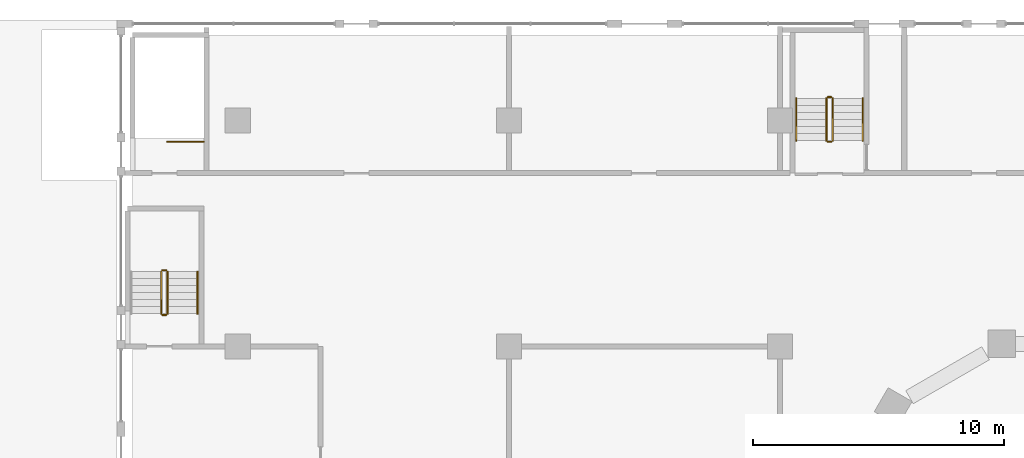
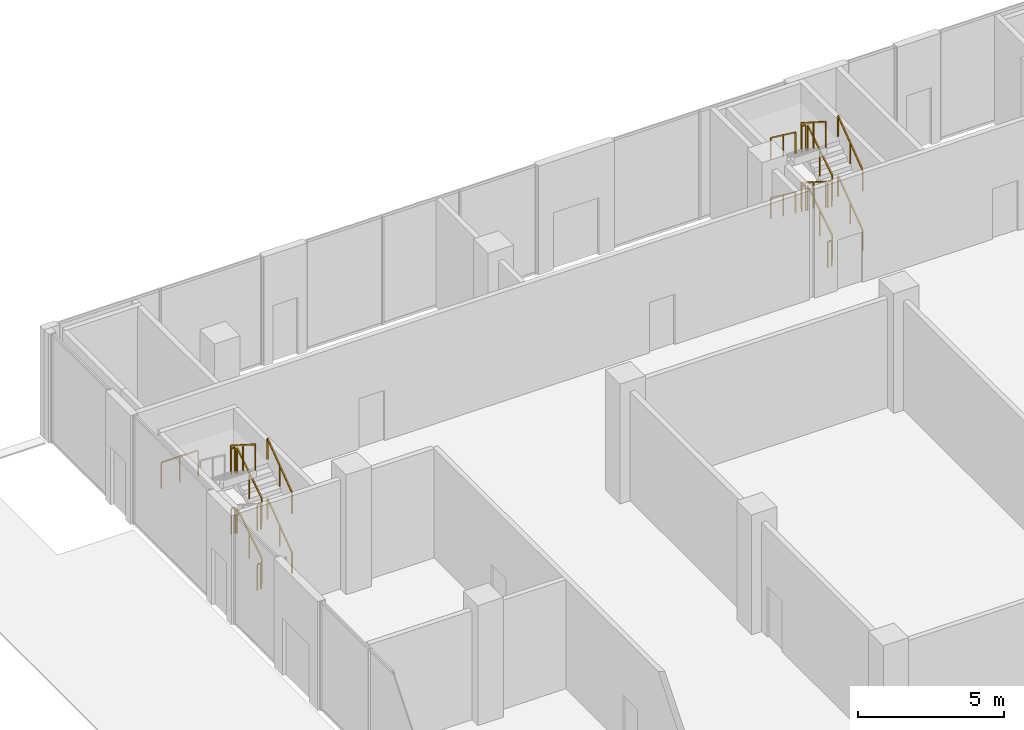
# One storey, part 53 of 57: 22 railings.
"""IFC4 building model written with IfcOpenShell, lengths in metres."""

from ifc_helpers import new_model, si_unit, direction, frame, origin, origin_2d, place, context, subcontext, project, spatial, rectangle, extrude, material, type_object, element, save


model = new_model("IFC4")

# Units and contexts
model_context = context("Model", 3, precision=1e-05, world=origin(), true_north=direction((0.0, 1.0)))
body_context = subcontext(model_context, "Body", "Model", "MODEL_VIEW")
ifc_project = project(units=[si_unit("LENGTHUNIT", "METRE"), si_unit("AREAUNIT", "SQUARE_METRE"), si_unit("VOLUMEUNIT", "CUBIC_METRE"), si_unit("PLANEANGLEUNIT", "RADIAN"), si_unit("MASSUNIT", "GRAM", prefix="KILO")], contexts=[model_context])

# Site, building, storey
site_placement = place(None, origin())
site = spatial("IfcSite", under=ifc_project, at=site_placement, CompositionType="ELEMENT")
building_placement = place(site_placement, origin())
building = spatial("IfcBuilding", under=site, at=building_placement, Name="Beryl Residences", CompositionType="ELEMENT")
storey_placement = place(building_placement, origin())
storey = spatial("IfcBuildingStorey", under=building, at=storey_placement, Name="L00", CompositionType="ELEMENT", Elevation=0.0)

# Railings
ifc_material_1 = material(Name="Stainless steel balustrade with glass infill", Category="steel")
railing_type_1 = type_object("IfcRailingType", Name="SG1 stair guard 1100 mm", PredefinedType="GUARDRAIL", material=ifc_material_1)
railing_1_placement = place(storey_placement, frame((-44.550048828125, 35.14990234375, 0.0)))
element("IfcRailing", 1, at=railing_1_placement, inside=storey, type_object=railing_type_1, Name="L00 BS-1 top well guard 1", PredefinedType="GUARDRAIL", context=body_context, shape_type="SweptSolid", body=[
    extrude(rectangle(XDim=0.048095703125, YDim=0.048095703125, at=origin_2d()), frame((0.0, 0.0, 1.076171875), z_axis=(-1.0, 0.0, 0.0), x_axis=(0.0, -1.0, 0.0)), (0.0, 0.0, 1.0), 1.449951171875),
    extrude(rectangle(XDim=0.0419921875, YDim=0.0419921875, at=origin_2d()), origin(), (0.0, 0.0, 1.0), 1.052001953125),
    extrude(rectangle(XDim=0.0419921875, YDim=0.0419921875, at=origin_2d()), frame((-0.72509765625, 0.0, 0.0)), (0.0, 0.0, 1.0), 1.052001953125),
    extrude(rectangle(XDim=0.0419921875, YDim=0.0419921875, at=origin_2d()), frame((-1.449951171875, 0.0, 0.0)), (0.0, 0.0, 1.0), 1.052001953125),
])
railing_2_placement = place(storey_placement, frame((-19.5, 35.199951171875, 0.178466796875)))
element("IfcRailing", 2, at=railing_2_placement, inside=storey, type_object=railing_type_1, Name="L00 PS-1 stair guard 1", PredefinedType="GUARDRAIL", context=body_context, shape_type="SweptSolid", body=[
    extrude(rectangle(XDim=0.048095703125, YDim=0.048095703125, at=origin_2d()), frame((0.0, 0.0, 1.076171875), z_axis=(0.0, 0.843095963019, 0.537763142231), x_axis=(-1.0, 0.0, 0.0)), (0.0, 0.0, 1.0), 1.99267578125),
    extrude(rectangle(XDim=0.0419921875, YDim=0.0419921875, at=origin_2d()), origin(), (0.0, 0.0, 1.0), 1.052001953125),
    extrude(rectangle(XDim=0.0419921875, YDim=0.0419921875, at=origin_2d()), frame((0.0, 0.83984375, 0.53564453125)), (0.0, 0.0, 1.0), 1.052001953125),
    extrude(rectangle(XDim=0.0419921875, YDim=0.0419921875, at=origin_2d()), frame((0.0, 1.679931640625, 1.071533203125)), (0.0, 0.0, 1.0), 1.052001953125),
])
railing_3_placement = place(storey_placement, frame((-19.550048828125, 36.929931640625, 1.25)))
element("IfcRailing", 3, at=railing_3_placement, inside=storey, type_object=railing_type_1, Name="L00 PS-1 stair guard 2", PredefinedType="GUARDRAIL", context=body_context, shape_type="SweptSolid", body=[
    extrude(rectangle(XDim=0.048095703125, YDim=0.048095703125, at=origin_2d()), frame((0.0, 0.0, 1.076171875), z_axis=(-1.0, 0.0, 0.0), x_axis=(0.0, -1.0, 0.0)), (0.0, 0.0, 1.0), 0.14990234375),
    extrude(rectangle(XDim=0.0419921875, YDim=0.0419921875, at=origin_2d()), origin(), (0.0, 0.0, 1.0), 1.052001953125),
    extrude(rectangle(XDim=0.0419921875, YDim=0.0419921875, at=origin_2d()), frame((-0.14990234375, 0.0, 0.0)), (0.0, 0.0, 1.0), 1.052001953125),
])
railing_4_placement = place(storey_placement, frame((-19.75, 36.8798828125, 1.428466796875)))
element("IfcRailing", 4, at=railing_4_placement, inside=storey, type_object=railing_type_1, Name="L00 PS-1 stair guard 3", PredefinedType="GUARDRAIL", context=body_context, shape_type="SweptSolid", body=[
    extrude(rectangle(XDim=0.048095703125, YDim=0.048095703125, at=origin_2d()), frame((0.0, 0.0, 1.076171875), z_axis=(0.0, -0.843095963019, 0.537763142231), x_axis=(1.0, 0.0, 0.0)), (0.0, 0.0, 1.0), 1.99267578125),
    extrude(rectangle(XDim=0.0419921875, YDim=0.0419921875, at=origin_2d()), origin(), (0.0, 0.0, 1.0), 1.052001953125),
    extrude(rectangle(XDim=0.0419921875, YDim=0.0419921875, at=origin_2d()), frame((0.0, -0.83984375, 0.53564453125)), (0.0, 0.0, 1.0), 1.052001953125),
    extrude(rectangle(XDim=0.0419921875, YDim=0.0419921875, at=origin_2d()), frame((0.0, -1.679931640625, 1.071533203125)), (0.0, 0.0, 1.0), 1.052001953125),
])
railing_5_placement = place(storey_placement, frame((-19.550048828125, 35.14990234375, 2.5)))
element("IfcRailing", 5, at=railing_5_placement, inside=storey, type_object=railing_type_1, Name="L00 PS-1 stair guard 4", PredefinedType="GUARDRAIL", context=body_context, shape_type="SweptSolid", body=[
    extrude(rectangle(XDim=0.048095703125, YDim=0.048095703125, at=origin_2d()), frame((0.0, 0.0, 1.076171875), z_axis=(-1.0, 0.0, 0.0), x_axis=(0.0, -1.0, 0.0)), (0.0, 0.0, 1.0), 0.14990234375),
    extrude(rectangle(XDim=0.0419921875, YDim=0.0419921875, at=origin_2d()), origin(), (0.0, 0.0, 1.0), 1.052001953125),
    extrude(rectangle(XDim=0.0419921875, YDim=0.0419921875, at=origin_2d()), frame((-0.14990234375, 0.0, 0.0)), (0.0, 0.0, 1.0), 1.052001953125),
])
railing_6_placement = place(storey_placement, frame((-19.5, 35.199951171875, 2.678466796875)))
element("IfcRailing", 6, at=railing_6_placement, inside=storey, type_object=railing_type_1, Name="L00 PS-1 stair guard 5", PredefinedType="GUARDRAIL", context=body_context, shape_type="SweptSolid", body=[
    extrude(rectangle(XDim=0.048095703125, YDim=0.048095703125, at=origin_2d()), frame((0.0, 0.0, 1.076171875), z_axis=(0.0, 0.843095963019, 0.537763142231), x_axis=(-1.0, 0.0, 0.0)), (0.0, 0.0, 1.0), 1.99267578125),
    extrude(rectangle(XDim=0.0419921875, YDim=0.0419921875, at=origin_2d()), origin(), (0.0, 0.0, 1.0), 1.052001953125),
    extrude(rectangle(XDim=0.0419921875, YDim=0.0419921875, at=origin_2d()), frame((0.0, 0.83984375, 0.53564453125)), (0.0, 0.0, 1.0), 1.052001953125),
    extrude(rectangle(XDim=0.0419921875, YDim=0.0419921875, at=origin_2d()), frame((0.0, 1.679931640625, 1.071533203125)), (0.0, 0.0, 1.0), 1.052001953125),
])
railing_7_placement = place(storey_placement, frame((-19.550048828125, 36.929931640625, 3.75)))
element("IfcRailing", 7, at=railing_7_placement, inside=storey, type_object=railing_type_1, Name="L00 PS-1 stair guard 6", PredefinedType="GUARDRAIL", context=body_context, shape_type="SweptSolid", body=[
    extrude(rectangle(XDim=0.048095703125, YDim=0.048095703125, at=origin_2d()), frame((0.0, 0.0, 1.076171875), z_axis=(-1.0, 0.0, 0.0), x_axis=(0.0, -1.0, 0.0)), (0.0, 0.0, 1.0), 0.14990234375),
    extrude(rectangle(XDim=0.0419921875, YDim=0.0419921875, at=origin_2d()), origin(), (0.0, 0.0, 1.0), 1.052001953125),
    extrude(rectangle(XDim=0.0419921875, YDim=0.0419921875, at=origin_2d()), frame((-0.14990234375, 0.0, 0.0)), (0.0, 0.0, 1.0), 1.052001953125),
])
railing_8_placement = place(storey_placement, frame((-19.75, 36.8798828125, 3.928466796875)))
element("IfcRailing", 8, at=railing_8_placement, inside=storey, type_object=railing_type_1, Name="L00 PS-1 stair guard 7", PredefinedType="GUARDRAIL", context=body_context, shape_type="SweptSolid", body=[
    extrude(rectangle(XDim=0.048095703125, YDim=0.048095703125, at=origin_2d()), frame((0.0, 0.0, 1.076171875), z_axis=(0.0, -0.843095963019, 0.537763142231), x_axis=(1.0, 0.0, 0.0)), (0.0, 0.0, 1.0), 1.99267578125),
    extrude(rectangle(XDim=0.0419921875, YDim=0.0419921875, at=origin_2d()), origin(), (0.0, 0.0, 1.0), 1.052001953125),
    extrude(rectangle(XDim=0.0419921875, YDim=0.0419921875, at=origin_2d()), frame((0.0, -0.83984375, 0.53564453125)), (0.0, 0.0, 1.0), 1.052001953125),
    extrude(rectangle(XDim=0.0419921875, YDim=0.0419921875, at=origin_2d()), frame((0.0, -1.679931640625, 1.071533203125)), (0.0, 0.0, 1.0), 1.052001953125),
])
railing_9_placement = place(storey_placement, frame((-19.550048828125, 35.14990234375, 0.0)))
element("IfcRailing", 9, at=railing_9_placement, inside=storey, type_object=railing_type_1, Name="L00 PS-1 stair guard 8", PredefinedType="GUARDRAIL", context=body_context, shape_type="SweptSolid", body=[
    extrude(rectangle(XDim=0.048095703125, YDim=0.048095703125, at=origin_2d()), frame((0.0, 0.0, 1.076171875), z_axis=(-1.0, 0.0, 0.0), x_axis=(0.0, -1.0, 0.0)), (0.0, 0.0, 1.0), 0.14990234375),
    extrude(rectangle(XDim=0.0419921875, YDim=0.0419921875, at=origin_2d()), origin(), (0.0, 0.0, 1.0), 1.052001953125),
    extrude(rectangle(XDim=0.0419921875, YDim=0.0419921875, at=origin_2d()), frame((-0.14990234375, 0.0, 0.0)), (0.0, 0.0, 1.0), 1.052001953125),
])
railing_10_placement = place(storey_placement, frame((-46.0, 28.300048828125, 0.178466796875)))
element("IfcRailing", 10, at=railing_10_placement, inside=storey, type_object=railing_type_1, Name="L00 PS-3 stair guard 1", PredefinedType="GUARDRAIL", context=body_context, shape_type="SweptSolid", body=[
    extrude(rectangle(XDim=0.048095703125, YDim=0.048095703125, at=origin_2d()), frame((0.0, 0.0, 1.076171875), z_axis=(0.0, 0.843095963019, 0.537763142231), x_axis=(-1.0, 0.0, 0.0)), (0.0, 0.0, 1.0), 1.99267578125),
    extrude(rectangle(XDim=0.0419921875, YDim=0.0419921875, at=origin_2d()), origin(), (0.0, 0.0, 1.0), 1.052001953125),
    extrude(rectangle(XDim=0.0419921875, YDim=0.0419921875, at=origin_2d()), frame((0.0, 0.83984375, 0.53564453125)), (0.0, 0.0, 1.0), 1.052001953125),
    extrude(rectangle(XDim=0.0419921875, YDim=0.0419921875, at=origin_2d()), frame((0.0, 1.679931640625, 1.071533203125)), (0.0, 0.0, 1.0), 1.052001953125),
])
for number, where, name in (
    (11, (-46.050048828125, 30.030029296875, 1.25), "L00 PS-3 stair guard 2"),
    (12, (-46.050048828125, 28.25, 2.5), "L00 PS-3 stair guard 4"),
):
    element("IfcRailing", number, at=place(storey_placement, frame(where)), inside=storey, type_object=railing_type_1, Name=name, PredefinedType="GUARDRAIL", context=body_context, shape_type="SweptSolid", body=[
        extrude(rectangle(XDim=0.048095703125, YDim=0.048095703125, at=origin_2d()), frame((0.0, 0.0, 1.076171875), z_axis=(-1.0, 0.0, 0.0), x_axis=(0.0, -1.0, 0.0)), (0.0, 0.0, 1.0), 0.14990234375),
        extrude(rectangle(XDim=0.0419921875, YDim=0.0419921875, at=origin_2d()), origin(), (0.0, 0.0, 1.0), 1.052001953125),
        extrude(rectangle(XDim=0.0419921875, YDim=0.0419921875, at=origin_2d()), frame((-0.14990234375, 0.0, 0.0)), (0.0, 0.0, 1.0), 1.052001953125),
    ])
railing_11_placement = place(storey_placement, frame((-46.0, 28.300048828125, 2.678466796875)))
element("IfcRailing", 13, at=railing_11_placement, inside=storey, type_object=railing_type_1, Name="L00 PS-3 stair guard 5", PredefinedType="GUARDRAIL", context=body_context, shape_type="SweptSolid", body=[
    extrude(rectangle(XDim=0.048095703125, YDim=0.048095703125, at=origin_2d()), frame((0.0, 0.0, 1.076171875), z_axis=(0.0, 0.843095963019, 0.537763142231), x_axis=(-1.0, 0.0, 0.0)), (0.0, 0.0, 1.0), 1.99267578125),
    extrude(rectangle(XDim=0.0419921875, YDim=0.0419921875, at=origin_2d()), origin(), (0.0, 0.0, 1.0), 1.052001953125),
    extrude(rectangle(XDim=0.0419921875, YDim=0.0419921875, at=origin_2d()), frame((0.0, 0.83984375, 0.53564453125)), (0.0, 0.0, 1.0), 1.052001953125),
    extrude(rectangle(XDim=0.0419921875, YDim=0.0419921875, at=origin_2d()), frame((0.0, 1.679931640625, 1.071533203125)), (0.0, 0.0, 1.0), 1.052001953125),
])
railing_12_placement = place(storey_placement, frame((-46.050048828125, 30.030029296875, 3.75)))
element("IfcRailing", 14, at=railing_12_placement, inside=storey, type_object=railing_type_1, Name="L00 PS-3 stair guard 6", PredefinedType="GUARDRAIL", context=body_context, shape_type="SweptSolid", body=[
    extrude(rectangle(XDim=0.048095703125, YDim=0.048095703125, at=origin_2d()), frame((0.0, 0.0, 1.076171875), z_axis=(-1.0, 0.0, 0.0), x_axis=(0.0, -1.0, 0.0)), (0.0, 0.0, 1.0), 0.14990234375),
    extrude(rectangle(XDim=0.0419921875, YDim=0.0419921875, at=origin_2d()), origin(), (0.0, 0.0, 1.0), 1.052001953125),
    extrude(rectangle(XDim=0.0419921875, YDim=0.0419921875, at=origin_2d()), frame((-0.14990234375, 0.0, 0.0)), (0.0, 0.0, 1.0), 1.052001953125),
])
railing_13_placement = place(storey_placement, frame((-46.25, 29.97998046875, 3.928466796875)))
element("IfcRailing", 15, at=railing_13_placement, inside=storey, type_object=railing_type_1, Name="L00 PS-3 stair guard 7", PredefinedType="GUARDRAIL", context=body_context, shape_type="SweptSolid", body=[
    extrude(rectangle(XDim=0.048095703125, YDim=0.048095703125, at=origin_2d()), frame((0.0, 0.0, 1.076171875), z_axis=(0.0, -0.843095963019, 0.537763142231), x_axis=(1.0, 0.0, 0.0)), (0.0, 0.0, 1.0), 1.99267578125),
    extrude(rectangle(XDim=0.0419921875, YDim=0.0419921875, at=origin_2d()), origin(), (0.0, 0.0, 1.0), 1.052001953125),
    extrude(rectangle(XDim=0.0419921875, YDim=0.0419921875, at=origin_2d()), frame((0.0, -0.83984375, 0.53564453125)), (0.0, 0.0, 1.0), 1.052001953125),
    extrude(rectangle(XDim=0.0419921875, YDim=0.0419921875, at=origin_2d()), frame((0.0, -1.679931640625, 1.071533203125)), (0.0, 0.0, 1.0), 1.052001953125),
])
railing_14_placement = place(storey_placement, frame((-46.050048828125, 28.25, 0.0)))
element("IfcRailing", 16, at=railing_14_placement, inside=storey, type_object=railing_type_1, Name="L00 PS-3 stair guard 8", PredefinedType="GUARDRAIL", context=body_context, shape_type="SweptSolid", body=[
    extrude(rectangle(XDim=0.048095703125, YDim=0.048095703125, at=origin_2d()), frame((0.0, 0.0, 1.076171875), z_axis=(-1.0, 0.0, 0.0), x_axis=(0.0, -1.0, 0.0)), (0.0, 0.0, 1.0), 0.14990234375),
    extrude(rectangle(XDim=0.0419921875, YDim=0.0419921875, at=origin_2d()), origin(), (0.0, 0.0, 1.0), 1.052001953125),
    extrude(rectangle(XDim=0.0419921875, YDim=0.0419921875, at=origin_2d()), frame((-0.14990234375, 0.0, 0.0)), (0.0, 0.0, 1.0), 1.052001953125),
])
ifc_material_2 = material(Name="Stainless steel handrail", Category="steel")
railing_type_2 = type_object("IfcRailingType", Name="SRL1 stair handrail 900 mm", PredefinedType="HANDRAIL", material=ifc_material_2)
railing_15_placement = place(storey_placement, frame((-18.300048828125, 35.199951171875, 0.178466796875)))
element("IfcRailing", 17, at=railing_15_placement, inside=storey, type_object=railing_type_2, Name="L00 PS-1 stair handrail 1", PredefinedType="HANDRAIL", context=body_context, shape_type="SweptSolid", body=[
    extrude(rectangle(XDim=0.048095703125, YDim=0.048095703125, at=origin_2d()), frame((0.0, 0.0, 0.8759765625), z_axis=(0.0, 0.802274775538, 0.59695492672), x_axis=(-1.0, 0.0, 0.0)), (0.0, 0.0, 1.0), 2.093994140625),
    extrude(rectangle(XDim=0.0419921875, YDim=0.0419921875, at=origin_2d()), origin(), (0.0, 0.0, 1.0), 0.851806640625),
    extrude(rectangle(XDim=0.0419921875, YDim=0.0419921875, at=origin_2d()), frame((0.0, 0.83984375, 0.625)), (0.0, 0.0, 1.0), 0.851806640625),
    extrude(rectangle(XDim=0.0419921875, YDim=0.0419921875, at=origin_2d()), frame((0.0, 1.679931640625, 1.25)), (0.0, 0.0, 1.0), 0.851806640625),
])
railing_16_placement = place(storey_placement, frame((-20.949951171875, 36.8798828125, 1.428466796875)))
element("IfcRailing", 18, at=railing_16_placement, inside=storey, type_object=railing_type_2, Name="L00 PS-1 stair handrail 2", PredefinedType="HANDRAIL", context=body_context, shape_type="SweptSolid", body=[
    extrude(rectangle(XDim=0.048095703125, YDim=0.048095703125, at=origin_2d()), frame((0.0, 0.0, 0.8759765625), z_axis=(0.0, -0.802274775538, 0.59695492672), x_axis=(1.0, 0.0, 0.0)), (0.0, 0.0, 1.0), 2.093994140625),
    extrude(rectangle(XDim=0.0419921875, YDim=0.0419921875, at=origin_2d()), origin(), (0.0, 0.0, 1.0), 0.851806640625),
    extrude(rectangle(XDim=0.0419921875, YDim=0.0419921875, at=origin_2d()), frame((0.0, -0.83984375, 0.625)), (0.0, 0.0, 1.0), 0.851806640625),
    extrude(rectangle(XDim=0.0419921875, YDim=0.0419921875, at=origin_2d()), frame((0.0, -1.679931640625, 1.25)), (0.0, 0.0, 1.0), 0.851806640625),
])
railing_17_placement = place(storey_placement, frame((-18.300048828125, 35.199951171875, 2.678466796875)))
element("IfcRailing", 19, at=railing_17_placement, inside=storey, type_object=railing_type_2, Name="L00 PS-1 stair handrail 3", PredefinedType="HANDRAIL", context=body_context, shape_type="SweptSolid", body=[
    extrude(rectangle(XDim=0.048095703125, YDim=0.048095703125, at=origin_2d()), frame((0.0, 0.0, 0.8759765625), z_axis=(0.0, 0.802274775538, 0.59695492672), x_axis=(-1.0, 0.0, 0.0)), (0.0, 0.0, 1.0), 2.093994140625),
    extrude(rectangle(XDim=0.0419921875, YDim=0.0419921875, at=origin_2d()), origin(), (0.0, 0.0, 1.0), 0.851806640625),
    extrude(rectangle(XDim=0.0419921875, YDim=0.0419921875, at=origin_2d()), frame((0.0, 0.83984375, 0.625)), (0.0, 0.0, 1.0), 0.851806640625),
    extrude(rectangle(XDim=0.0419921875, YDim=0.0419921875, at=origin_2d()), frame((0.0, 1.679931640625, 1.25)), (0.0, 0.0, 1.0), 0.851806640625),
])
railing_18_placement = place(storey_placement, frame((-20.949951171875, 36.8798828125, 3.928466796875)))
element("IfcRailing", 20, at=railing_18_placement, inside=storey, type_object=railing_type_2, Name="L00 PS-1 stair handrail 4", PredefinedType="HANDRAIL", context=body_context, shape_type="SweptSolid", body=[
    extrude(rectangle(XDim=0.048095703125, YDim=0.048095703125, at=origin_2d()), frame((0.0, 0.0, 0.8759765625), z_axis=(0.0, -0.802274775538, 0.59695492672), x_axis=(1.0, 0.0, 0.0)), (0.0, 0.0, 1.0), 2.093994140625),
    extrude(rectangle(XDim=0.0419921875, YDim=0.0419921875, at=origin_2d()), origin(), (0.0, 0.0, 1.0), 0.851806640625),
    extrude(rectangle(XDim=0.0419921875, YDim=0.0419921875, at=origin_2d()), frame((0.0, -0.83984375, 0.625)), (0.0, 0.0, 1.0), 0.851806640625),
    extrude(rectangle(XDim=0.0419921875, YDim=0.0419921875, at=origin_2d()), frame((0.0, -1.679931640625, 1.25)), (0.0, 0.0, 1.0), 0.851806640625),
])
for number, where, name in (
    (21, (-44.800048828125, 28.300048828125, 0.178466796875), "L00 PS-3 stair handrail 1"),
    (22, (-44.800048828125, 28.300048828125, 2.678466796875), "L00 PS-3 stair handrail 3"),
):
    element("IfcRailing", number, at=place(storey_placement, frame(where)), inside=storey, type_object=railing_type_2, Name=name, PredefinedType="HANDRAIL", context=body_context, shape_type="SweptSolid", body=[
        extrude(rectangle(XDim=0.048095703125, YDim=0.048095703125, at=origin_2d()), frame((0.0, 0.0, 0.8759765625), z_axis=(0.0, 0.802274775538, 0.59695492672), x_axis=(-1.0, 0.0, 0.0)), (0.0, 0.0, 1.0), 2.093994140625),
        extrude(rectangle(XDim=0.0419921875, YDim=0.0419921875, at=origin_2d()), origin(), (0.0, 0.0, 1.0), 0.851806640625),
        extrude(rectangle(XDim=0.0419921875, YDim=0.0419921875, at=origin_2d()), frame((0.0, 0.83984375, 0.625)), (0.0, 0.0, 1.0), 0.851806640625),
        extrude(rectangle(XDim=0.0419921875, YDim=0.0419921875, at=origin_2d()), frame((0.0, 1.679931640625, 1.25)), (0.0, 0.0, 1.0), 0.851806640625),
    ])

save(model, "model.ifc")
